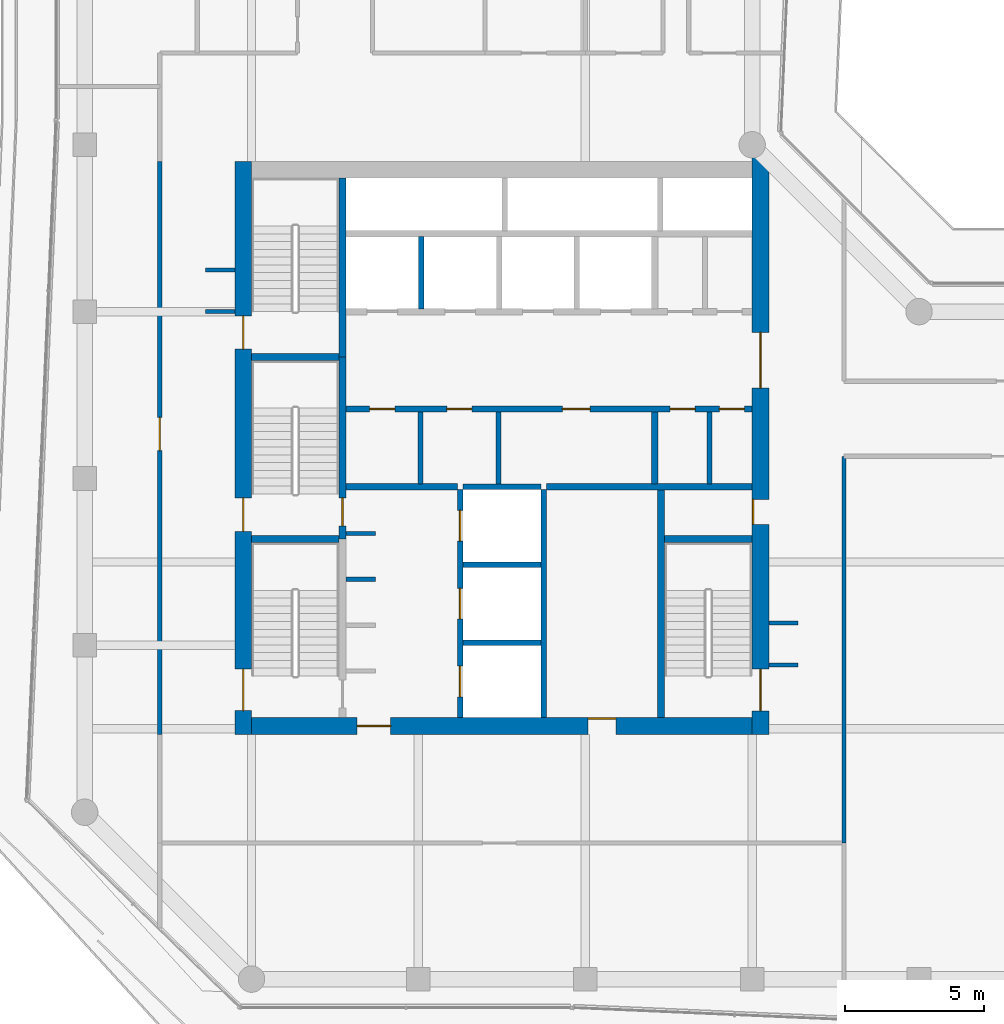
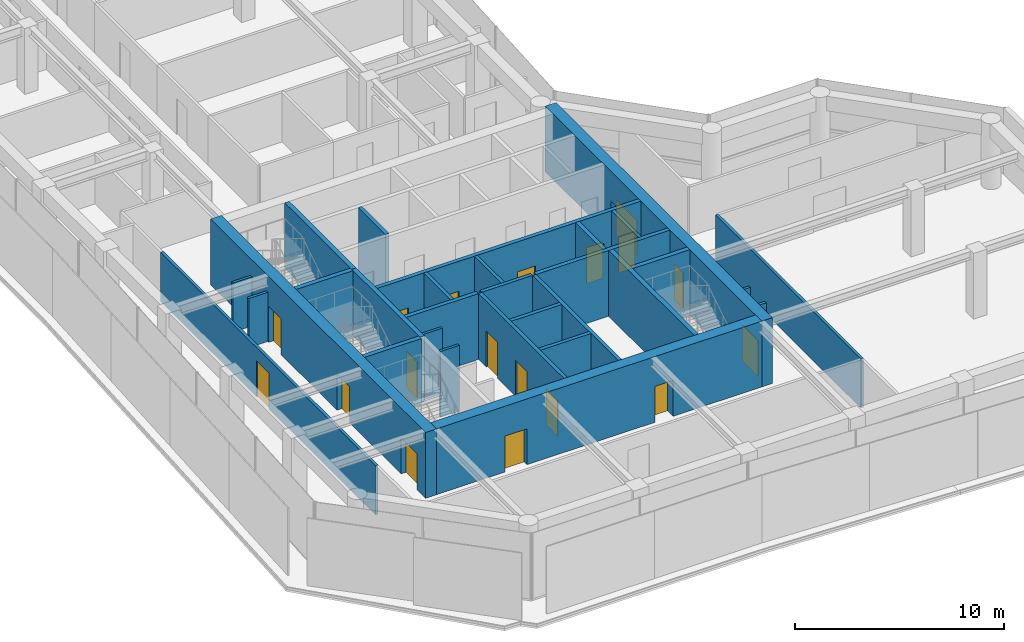
# One storey, part 17 of 21: 30 walls, 18 doors, 18 openings.
"""IFC4 building model written with IfcOpenShell, lengths in metres."""

from ifc_helpers import new_model, si_unit, direction, frame, frame_2d, origin, place, context, subcontext, project, spatial, rectangle, extrude, material, layer, layer_set, type_object, element, fill, save


model = new_model("IFC4")

# Units and contexts
model_context = context("Model", 3, precision=1e-05, world=origin(), true_north=direction((0.0, 1.0)))
body_context = subcontext(model_context, "Body", "Model", "MODEL_VIEW")
ifc_project = project(units=[si_unit("LENGTHUNIT", "METRE"), si_unit("AREAUNIT", "SQUARE_METRE"), si_unit("VOLUMEUNIT", "CUBIC_METRE"), si_unit("PLANEANGLEUNIT", "RADIAN"), si_unit("MASSUNIT", "GRAM", prefix="KILO")], contexts=[model_context])

# Site, building, storey
site_placement = place(None, origin())
site = spatial("IfcSite", under=ifc_project, at=site_placement, CompositionType="ELEMENT")
building_placement = place(site_placement, origin())
building = spatial("IfcBuilding", under=site, at=building_placement, Name="Welwitschia Terrace Campus", CompositionType="ELEMENT")
storey_placement = place(building_placement, frame((0.0, 0.0, 159.199951171875)))
storey = spatial("IfcBuildingStorey", under=building, at=storey_placement, Name="L35", CompositionType="ELEMENT", Elevation=159.199951171875)

# Walls
ifc_material_1 = material(Name="Concrete C32/40", Category="concrete")
ifc_layer_1 = layer(ifc_material_1, 0.175048828125)
ifc_layer_set_1 = layer_set([ifc_layer_1], Name="Concrete C32/40")
wall_type_1 = type_object("IfcWallType", Name="Core partition 175 Concrete C32/40", PredefinedType="PARTITIONING", material=ifc_layer_set_1)
for number, where, z_axis, x_axis, name in (
    (1, (12.074951171875, 13.800048828125, 0.0), (0.0, 0.0, 1.0), (0.0, 1.0, 0.0), "Core partition"),
    (2, (14.875, 13.800048828125, 0.0), (0.0, 0.0, 1.0), (0.0, 1.0, 0.0), "Core partition"),
    (3, (22.469970703125, 13.800048828125, 0.0), (0.0, 0.0, 1.0), (0.0, 1.0, 0.0), "Core partition"),
):
    element("IfcWall", number, at=place(storey_placement, frame(where, z_axis=z_axis, x_axis=x_axis)), inside=storey, type_object=wall_type_1, Name=name, PredefinedType="PARTITIONING", context=body_context, shape_type="SweptSolid", body=[
        extrude(rectangle(XDim=2.599853515625, YDim=0.175048828125, at=frame_2d((1.2998046875, 0.0))), origin(), (0.0, 0.0, 1.0), 3.85009765625),
    ])
ifc_material_2 = material(Name="Concrete C32/40", Category="concrete")
ifc_layer_2 = layer(ifc_material_2, 0.22509765625)
ifc_layer_set_2 = layer_set([ifc_layer_2], Name="Concrete C32/40")
wall_type_2 = type_object("IfcWallType", Name="Core partition 225 Concrete C32/40", PredefinedType="PARTITIONING", material=ifc_layer_set_2)
wall_1_placement = place(storey_placement, frame((9.39990234375, 13.699951171875, 0.0), z_axis=(0.0, 0.0, 1.0), x_axis=(1.0, 0.0, 0.0)))
element("IfcWall", 4, at=wall_1_placement, inside=storey, type_object=wall_type_2, Name="Core partition", PredefinedType="PARTITIONING", context=body_context, shape_type="SweptSolid", body=[
    extrude(rectangle(XDim=4.0, YDim=0.22509765625, at=frame_2d((2.0, 0.0))), origin(), (0.0, 0.0, 1.0), 3.85009765625),
])
wall_2_placement = place(storey_placement, frame((16.60009765625, 13.699951171875, 0.0), z_axis=(0.0, 0.0, 1.0), x_axis=(1.0, 0.0, 0.0)))
element("IfcWall", 5, at=wall_2_placement, inside=storey, type_object=wall_type_2, Name="Core partition", PredefinedType="PARTITIONING", context=body_context, shape_type="SweptSolid", body=[
    extrude(rectangle(XDim=7.39990234375, YDim=0.22509765625, at=frame_2d((3.699951171875, 0.0))), origin(), (0.0, 0.0, 1.0), 3.85009765625),
])

# Wall, openings, doors
wall_3_placement = place(storey_placement, frame((9.39990234375, 16.5, 0.0), z_axis=(0.0, 0.0, 1.0), x_axis=(1.0, 0.0, 0.0)))
wall_3 = element("IfcWall", 6, at=wall_3_placement, inside=storey, type_object=wall_type_2, Name="Core partition", PredefinedType="PARTITIONING", context=body_context, shape_type="SweptSolid", body=[
    extrude(rectangle(XDim=14.60009765625, YDim=0.22509765625, at=frame_2d((7.300048828125, 0.0))), origin(), (0.0, 0.0, 1.0), 3.85009765625),
])
opening_1_placement = place(wall_3_placement, frame((0.85009765625, 0.0, 0.0)))
opening_1 = element("IfcOpeningElement", 7, at=opening_1_placement, cuts=wall_3, Name="Opening DR09", PredefinedType="OPENING", context=body_context, shape_type="SweptSolid", body=[
    extrude(rectangle(XDim=0.89990234375, YDim=2.10009765625, at=frame_2d((0.449951171875, 1.050048828125))), frame((0.0, 0.12255859375, 0.0), z_axis=(0.0, -1.0, 0.0), x_axis=(1.0, 0.0, 0.0)), (0.0, 0.0, 1.0), 0.2451171875),
])
opening_2_placement = place(wall_3_placement, frame((3.625, 0.0, 0.0)))
opening_2 = element("IfcOpeningElement", 8, at=opening_2_placement, cuts=wall_3, Name="Opening DR09", PredefinedType="OPENING", context=body_context, shape_type="SweptSolid", body=[
    extrude(rectangle(XDim=0.89990234375, YDim=2.10009765625, at=frame_2d((0.449951171875, 1.050048828125))), frame((0.0, 0.12255859375, 0.0), z_axis=(0.0, -1.0, 0.0), x_axis=(1.0, 0.0, 0.0)), (0.0, 0.0, 1.0), 0.2451171875),
])
opening_3_placement = place(wall_3_placement, frame((7.77490234375, 0.0, 0.0)))
opening_3 = element("IfcOpeningElement", 9, at=opening_3_placement, cuts=wall_3, Name="Opening DR10", PredefinedType="OPENING", context=body_context, shape_type="SweptSolid", body=[
    extrude(rectangle(XDim=1.0, YDim=2.10009765625, at=frame_2d((0.5, 1.050048828125))), frame((0.0, 0.12255859375, 0.0), z_axis=(0.0, -1.0, 0.0), x_axis=(1.0, 0.0, 0.0)), (0.0, 0.0, 1.0), 0.2451171875),
])
opening_4_placement = place(wall_3_placement, frame((11.6474609375, 0.0, 0.0)))
opening_4 = element("IfcOpeningElement", 10, at=opening_4_placement, cuts=wall_3, Name="Opening DR09", PredefinedType="OPENING", context=body_context, shape_type="SweptSolid", body=[
    extrude(rectangle(XDim=0.89990234375, YDim=2.10009765625, at=frame_2d((0.449951171875, 1.050048828125))), frame((0.0, 0.12255859375, 0.0), z_axis=(0.0, -1.0, 0.0), x_axis=(1.0, 0.0, 0.0)), (0.0, 0.0, 1.0), 0.2451171875),
])
opening_5_placement = place(wall_3_placement, frame((13.422607421875, 0.0, 0.0)))
opening_5 = element("IfcOpeningElement", 11, at=opening_5_placement, cuts=wall_3, Name="Opening DR09", PredefinedType="OPENING", context=body_context, shape_type="SweptSolid", body=[
    extrude(rectangle(XDim=0.89990234375, YDim=2.10009765625, at=frame_2d((0.449951171875, 1.050048828125))), frame((0.0, 0.12255859375, 0.0), z_axis=(0.0, -1.0, 0.0), x_axis=(1.0, 0.0, 0.0)), (0.0, 0.0, 1.0), 0.2451171875),
])
ifc_material_3 = material(Name="Steel S275", Category="steel")
door_type_1 = type_object("IfcDoorType", Name="Core door DR09", OperationType="SINGLE_SWING_LEFT", PredefinedType="DOOR", material=ifc_material_3)
door_1_placement = place(opening_1_placement, origin())
door_1 = element("IfcDoor", 12, at=door_1_placement, inside=storey, type_object=door_type_1, Name="Door BAYL1-D", OperationType="SINGLE_SWING_LEFT", OverallHeight=2.10009765625, OverallWidth=0.89990234375, PredefinedType="DOOR", context=body_context, shape_type="SweptSolid", body=[
    extrude(rectangle(XDim=0.89990234375, YDim=2.10009765625, at=frame_2d((0.449951171875, 1.050048828125))), frame((0.0, 0.02490234375, 0.0), z_axis=(0.0, -1.0, 0.0), x_axis=(1.0, 0.0, 0.0)), (0.0, 0.0, 1.0), 0.050048828125),
])
fill(opening_1, door_1)
door_2_placement = place(opening_2_placement, origin())
door_2 = element("IfcDoor", 13, at=door_2_placement, inside=storey, type_object=door_type_1, Name="Door BAYL2-D", OperationType="SINGLE_SWING_LEFT", OverallHeight=2.10009765625, OverallWidth=0.89990234375, PredefinedType="DOOR", context=body_context, shape_type="SweptSolid", body=[
    extrude(rectangle(XDim=0.89990234375, YDim=2.10009765625, at=frame_2d((0.449951171875, 1.050048828125))), frame((0.0, 0.02490234375, 0.0), z_axis=(0.0, -1.0, 0.0), x_axis=(1.0, 0.0, 0.0)), (0.0, 0.0, 1.0), 0.050048828125),
])
fill(opening_2, door_2)
door_3_placement = place(opening_4_placement, origin())
door_3 = element("IfcDoor", 14, at=door_3_placement, inside=storey, type_object=door_type_1, Name="Door EL1-D", OperationType="SINGLE_SWING_RIGHT", OverallHeight=2.10009765625, OverallWidth=0.89990234375, PredefinedType="DOOR", context=body_context, shape_type="SweptSolid", body=[
    extrude(rectangle(XDim=0.89990234375, YDim=2.10009765625, at=frame_2d((0.449951171875, 1.050048828125))), frame((0.0, 0.02490234375, 0.0), z_axis=(0.0, -1.0, 0.0), x_axis=(1.0, 0.0, 0.0)), (0.0, 0.0, 1.0), 0.050048828125),
])
fill(opening_4, door_3)
door_4_placement = place(opening_5_placement, origin())
door_4 = element("IfcDoor", 15, at=door_4_placement, inside=storey, type_object=door_type_1, Name="Door EL2-D", OperationType="SINGLE_SWING_RIGHT", OverallHeight=2.10009765625, OverallWidth=0.89990234375, PredefinedType="DOOR", context=body_context, shape_type="SweptSolid", body=[
    extrude(rectangle(XDim=0.89990234375, YDim=2.10009765625, at=frame_2d((0.449951171875, 1.050048828125))), frame((0.0, 0.02490234375, 0.0), z_axis=(0.0, -1.0, 0.0), x_axis=(1.0, 0.0, 0.0)), (0.0, 0.0, 1.0), 0.050048828125),
])
fill(opening_5, door_4)
ifc_material_4 = material(Name="Steel S275", Category="steel")
door_type_2 = type_object("IfcDoorType", Name="Core door DR10", OperationType="SINGLE_SWING_LEFT", PredefinedType="DOOR", material=ifc_material_4)
door_5_placement = place(opening_3_placement, origin())
door_5 = element("IfcDoor", 16, at=door_5_placement, inside=storey, type_object=door_type_2, Name="Door BAYL3-D", OperationType="SINGLE_SWING_RIGHT", OverallHeight=2.10009765625, OverallWidth=1.0, PredefinedType="DOOR", context=body_context, shape_type="SweptSolid", body=[
    extrude(rectangle(XDim=1.0, YDim=2.10009765625, at=frame_2d((0.5, 1.050048828125))), frame((0.0, 0.02490234375, 0.0), z_axis=(0.0, -1.0, 0.0), x_axis=(1.0, 0.0, 0.0)), (0.0, 0.0, 1.0), 0.050048828125),
])
fill(opening_3, door_5)

# Walls
wall_4_placement = place(storey_placement, frame((20.5, 13.800048828125, 0.0), z_axis=(0.0, 0.0, 1.0), x_axis=(0.0, 1.0, 0.0)))
element("IfcWall", 17, at=wall_4_placement, inside=storey, type_object=wall_type_2, Name="Core partition", PredefinedType="PARTITIONING", context=body_context, shape_type="SweptSolid", body=[
    extrude(rectangle(XDim=2.599853515625, YDim=0.22509765625, at=frame_2d((1.2998046875, 0.0))), origin(), (0.0, 0.0, 1.0), 3.85009765625),
])
ifc_material_5 = material(Name="Concrete C50/60", Category="concrete")
ifc_layer_3 = layer(ifc_material_5, 0.14990234375)
ifc_layer_set_3 = layer_set([ifc_layer_3], Name="Concrete C50/60")
wall_type_3 = type_object("IfcWallType", Name="Core wall 150 Concrete C50/60", PredefinedType="SHEAR", material=ifc_layer_set_3)
for number, where, z_axis, x_axis, name in (
    (18, (9.39990234375, 10.375, 0.0), (0.0, 0.0, 1.0), (1.0, 0.0, 0.0), "Core wall"),
    (19, (9.39990234375, 12.02490234375, 0.0), (0.0, 0.0, 1.0), (1.0, 0.0, 0.0), "Core wall"),
):
    element("IfcWall", number, at=place(storey_placement, frame(where, z_axis=z_axis, x_axis=x_axis)), inside=storey, type_object=wall_type_3, Name=name, PredefinedType="SHEAR", context=body_context, shape_type="SweptSolid", body=[
        extrude(rectangle(XDim=1.050048828125, YDim=0.14990234375, at=frame_2d((0.52490234375, 0.0))), origin(), (0.0, 0.0, 1.0), 3.85009765625),
    ])
ifc_material_6 = material(Name="Concrete C50/60", Category="concrete")
ifc_layer_4 = layer(ifc_material_6, 0.199951171875)
ifc_layer_set_4 = layer_set([ifc_layer_4], Name="Concrete C50/60")
wall_type_4 = type_object("IfcWallType", Name="Core wall 200 Concrete C50/60", PredefinedType="SHEAR", material=ifc_layer_set_4)
for number, where, z_axis, x_axis, name in (
    (20, (13.60009765625, 8.10009765625, 0.0), (0.0, 0.0, 1.0), (1.0, 0.0, 0.0), "Core wall"),
    (21, (13.60009765625, 10.89990234375, 0.0), (0.0, 0.0, 1.0), (1.0, 0.0, 0.0), "Core wall"),
    (22, (13.60009765625, 13.699951171875, 0.0), (0.0, 0.0, 1.0), (1.0, 0.0, 0.0), "Core wall"),
):
    element("IfcWall", number, at=place(storey_placement, frame(where, z_axis=z_axis, x_axis=x_axis)), inside=storey, type_object=wall_type_4, Name=name, PredefinedType="SHEAR", context=body_context, shape_type="SweptSolid", body=[
        extrude(rectangle(XDim=2.7998046875, YDim=0.199951171875, at=frame_2d((1.39990234375, 0.0))), origin(), (0.0, 0.0, 1.0), 3.85009765625),
    ])

# Wall, openings, doors
wall_5_placement = place(storey_placement, frame((13.5, 5.39990234375, 0.0), z_axis=(0.0, 0.0, 1.0), x_axis=(0.0, 1.0, 0.0)))
wall_5 = element("IfcWall", 23, at=wall_5_placement, inside=storey, type_object=wall_type_4, Name="Core wall", PredefinedType="SHEAR", context=body_context, shape_type="SweptSolid", body=[
    extrude(rectangle(XDim=8.2001953125, YDim=0.199951171875, at=frame_2d((4.10009765625, 0.0))), origin(), (0.0, 0.0, 1.0), 3.85009765625),
])
opening_6_placement = place(wall_5_placement, frame((0.75, 0.0, 0.0)))
opening_6 = element("IfcOpeningElement", 24, at=opening_6_placement, cuts=wall_5, Name="Opening LD", PredefinedType="OPENING", context=body_context, shape_type="SweptSolid", body=[
    extrude(rectangle(XDim=1.10009765625, YDim=2.10009765625, at=frame_2d((0.550048828125, 1.050048828125))), frame((0.0, 0.10986328125, 0.0), z_axis=(0.0, -1.0, 0.0), x_axis=(1.0, 0.0, 0.0)), (0.0, 0.0, 1.0), 0.219970703125),
])
opening_7_placement = place(wall_5_placement, frame((3.550048828125, 0.0, 0.0)))
opening_7 = element("IfcOpeningElement", 25, at=opening_7_placement, cuts=wall_5, Name="Opening LD", PredefinedType="OPENING", context=body_context, shape_type="SweptSolid", body=[
    extrude(rectangle(XDim=1.10009765625, YDim=2.10009765625, at=frame_2d((0.550048828125, 1.050048828125))), frame((0.0, 0.10986328125, 0.0), z_axis=(0.0, -1.0, 0.0), x_axis=(1.0, 0.0, 0.0)), (0.0, 0.0, 1.0), 0.219970703125),
])
opening_8_placement = place(wall_5_placement, frame((6.35009765625, 0.0, 0.0)))
opening_8 = element("IfcOpeningElement", 26, at=opening_8_placement, cuts=wall_5, Name="Opening LD", PredefinedType="OPENING", context=body_context, shape_type="SweptSolid", body=[
    extrude(rectangle(XDim=1.10009765625, YDim=2.10009765625, at=frame_2d((0.550048828125, 1.050048828125))), frame((0.0, 0.10986328125, 0.0), z_axis=(0.0, -1.0, 0.0), x_axis=(1.0, 0.0, 0.0)), (0.0, 0.0, 1.0), 0.219970703125),
])
ifc_material_7 = material(Name="Stainless steel 304", Category="steel")
door_type_3 = type_object("IfcDoorType", Name="Lift landing door", OperationType="DOUBLE_DOOR_SLIDING", PredefinedType="DOOR", material=ifc_material_7)
door_6_placement = place(opening_6_placement, origin())
door_6 = element("IfcDoor", 27, at=door_6_placement, inside=storey, type_object=door_type_3, Name="Landing door FF1", OperationType="DOUBLE_DOOR_SLIDING", OverallHeight=2.10009765625, OverallWidth=1.10009765625, PredefinedType="DOOR", context=body_context, shape_type="SweptSolid", body=[
    extrude(rectangle(XDim=1.10009765625, YDim=2.10009765625, at=frame_2d((0.550048828125, 1.050048828125))), frame((0.0, 0.02490234375, 0.0), z_axis=(0.0, -1.0, 0.0), x_axis=(1.0, 0.0, 0.0)), (0.0, 0.0, 1.0), 0.050048828125),
])
fill(opening_6, door_6)
door_7_placement = place(opening_7_placement, origin())
door_7 = element("IfcDoor", 28, at=door_7_placement, inside=storey, type_object=door_type_3, Name="Landing door FF2", OperationType="DOUBLE_DOOR_SLIDING", OverallHeight=2.10009765625, OverallWidth=1.10009765625, PredefinedType="DOOR", context=body_context, shape_type="SweptSolid", body=[
    extrude(rectangle(XDim=1.10009765625, YDim=2.10009765625, at=frame_2d((0.550048828125, 1.050048828125))), frame((0.0, 0.02490234375, 0.0), z_axis=(0.0, -1.0, 0.0), x_axis=(1.0, 0.0, 0.0)), (0.0, 0.0, 1.0), 0.050048828125),
])
fill(opening_7, door_7)
door_8_placement = place(opening_8_placement, origin())
door_8 = element("IfcDoor", 29, at=door_8_placement, inside=storey, type_object=door_type_3, Name="Landing door SV1", OperationType="DOUBLE_DOOR_SLIDING", OverallHeight=2.10009765625, OverallWidth=1.10009765625, PredefinedType="DOOR", context=body_context, shape_type="SweptSolid", body=[
    extrude(rectangle(XDim=1.10009765625, YDim=2.10009765625, at=frame_2d((0.550048828125, 1.050048828125))), frame((0.0, 0.02490234375, 0.0), z_axis=(0.0, -1.0, 0.0), x_axis=(1.0, 0.0, 0.0)), (0.0, 0.0, 1.0), 0.050048828125),
])
fill(opening_8, door_8)

# Walls
wall_6_placement = place(storey_placement, frame((16.5, 5.39990234375, 0.0), z_axis=(0.0, 0.0, 1.0), x_axis=(0.0, 1.0, 0.0)))
element("IfcWall", 30, at=wall_6_placement, inside=storey, type_object=wall_type_4, Name="Core wall", PredefinedType="SHEAR", context=body_context, shape_type="SweptSolid", body=[
    extrude(rectangle(XDim=8.2001953125, YDim=0.199951171875, at=frame_2d((4.10009765625, 0.0))), origin(), (0.0, 0.0, 1.0), 3.85009765625),
])
ifc_material_8 = material(Name="Concrete C50/60", Category="concrete")
ifc_layer_5 = layer(ifc_material_8, 0.25)
ifc_layer_set_5 = layer_set([ifc_layer_5], Name="Concrete C50/60")
wall_type_5 = type_object("IfcWallType", Name="Core wall 250 Concrete C50/60", PredefinedType="SHEAR", material=ifc_layer_set_5)
for number, where, z_axis, x_axis, name in (
    (31, (6.0, 11.824951171875, 0.0), (0.0, 0.0, 1.0), (1.0, 0.0, 0.0), "Core wall"),
    (32, (20.85009765625, 11.824951171875, 0.0), (0.0, 0.0, 1.0), (1.0, 0.0, 0.0), "Core wall"),
    (33, (6.0, 18.375, 0.0), (0.0, 0.0, 1.0), (1.0, 0.0, 0.0), "Core wall"),
):
    element("IfcWall", number, at=place(storey_placement, frame(where, z_axis=z_axis, x_axis=x_axis)), inside=storey, type_object=wall_type_5, Name=name, PredefinedType="SHEAR", context=body_context, shape_type="SweptSolid", body=[
        extrude(rectangle(XDim=3.14990234375, YDim=0.25, at=frame_2d((1.574951171875, 0.0))), origin(), (0.0, 0.0, 1.0), 3.85009765625),
    ])

# Wall, opening, door
wall_7_placement = place(storey_placement, frame((9.27490234375, 18.375, 0.0), z_axis=(0.0, 0.0, 1.0), x_axis=(0.0, -1.0, 0.0)))
wall_7 = element("IfcWall", 34, at=wall_7_placement, inside=storey, type_object=wall_type_5, Name="Core wall", PredefinedType="SHEAR", context=body_context, shape_type="SweptSolid", body=[
    extrude(rectangle(XDim=6.550048828125, YDim=0.25, at=frame_2d((3.27490234375, 0.0))), origin(), (0.0, 0.0, 1.0), 3.85009765625),
])
opening_9_placement = place(wall_7_placement, frame((5.074951171875, 0.0, 0.0)))
opening_9 = element("IfcOpeningElement", 35, at=opening_9_placement, cuts=wall_7, Name="Opening DS10", PredefinedType="OPENING", context=body_context, shape_type="SweptSolid", body=[
    extrude(rectangle(XDim=1.0, YDim=2.10009765625, at=frame_2d((0.5, 1.050048828125))), frame((0.0, 0.135009765625, 0.0), z_axis=(0.0, -1.0, 0.0), x_axis=(1.0, 0.0, 0.0)), (0.0, 0.0, 1.0), 0.27001953125),
])
ifc_material_9 = material(Name="Steel S275", Category="steel")
door_type_4 = type_object("IfcDoorType", Name="Core door DS10", OperationType="SINGLE_SWING_LEFT", PredefinedType="DOOR", material=ifc_material_9)
door_9_placement = place(opening_9_placement, origin())
door_9 = element("IfcDoor", 36, at=door_9_placement, inside=storey, type_object=door_type_4, Name="Door S3-FL", OperationType="SINGLE_SWING_RIGHT", OverallHeight=2.10009765625, OverallWidth=1.0, PredefinedType="DOOR", context=body_context, shape_type="SweptSolid", body=[
    extrude(rectangle(XDim=1.0, YDim=2.10009765625, at=frame_2d((0.5, 1.050048828125))), frame((0.0, 0.02490234375, 0.0), z_axis=(0.0, -1.0, 0.0), x_axis=(1.0, 0.0, 0.0)), (0.0, 0.0, 1.0), 0.050048828125),
])
fill(opening_9, door_9)

# Walls
wall_8_placement = place(storey_placement, frame((9.27490234375, 18.375, 0.0), z_axis=(0.0, 0.0, 1.0), x_axis=(0.0, 1.0, 0.0)))
element("IfcWall", 37, at=wall_8_placement, inside=storey, type_object=wall_type_5, Name="Core wall", PredefinedType="SHEAR", context=body_context, shape_type="SweptSolid", body=[
    extrude(rectangle(XDim=6.425048828125, YDim=0.25, at=frame_2d((3.21240234375, 0.0))), origin(), (0.0, 0.0, 1.0), 3.85009765625),
])
wall_9_placement = place(storey_placement, frame((20.72509765625, 5.39990234375, 0.0), z_axis=(0.0, 0.0, 1.0), x_axis=(0.0, 1.0, 0.0)))
element("IfcWall", 38, at=wall_9_placement, inside=storey, type_object=wall_type_5, Name="Core wall", PredefinedType="SHEAR", context=body_context, shape_type="SweptSolid", body=[
    extrude(rectangle(XDim=8.2001953125, YDim=0.25, at=frame_2d((4.10009765625, 0.0))), origin(), (0.0, 0.0, 1.0), 3.85009765625),
])

# Wall, openings, doors
ifc_material_10 = material(Name="Concrete C60/75", Category="concrete")
ifc_layer_6 = layer(ifc_material_10, 0.60009765625)
ifc_layer_set_6 = layer_set([ifc_layer_6], Name="Concrete C60/75")
wall_type_6 = type_object("IfcWallType", Name="Core wall 600 Concrete C60/75", PredefinedType="SHEAR", material=ifc_layer_set_6)
wall_10_placement = place(storey_placement, frame((5.699951171875, 4.800048828125, 0.0), z_axis=(0.0, 0.0, 1.0), x_axis=(0.0, 1.0, 0.0)))
wall_10 = element("IfcWall", 39, at=wall_10_placement, inside=storey, type_object=wall_type_6, Name="Core outer wall", PredefinedType="SHEAR", context=body_context, shape_type="SweptSolid", body=[
    extrude(rectangle(XDim=20.599853515625, YDim=0.60009765625, at=frame_2d((10.2998046875, 0.0))), origin(), (0.0, 0.0, 1.0), 3.85009765625),
])
opening_10_placement = place(wall_10_placement, frame((0.85009765625, 0.0, 0.0)))
opening_10 = element("IfcOpeningElement", 40, at=opening_10_placement, cuts=wall_10, Name="Opening DS15", PredefinedType="OPENING", context=body_context, shape_type="SweptSolid", body=[
    extrude(rectangle(XDim=1.5, YDim=2.10009765625, at=frame_2d((0.75, 1.050048828125))), frame((0.0, 0.31005859375, 0.0), z_axis=(0.0, -1.0, 0.0), x_axis=(1.0, 0.0, 0.0)), (0.0, 0.0, 1.0), 0.6201171875),
])
opening_11_placement = place(wall_10_placement, frame((7.300048828125, 0.0, 0.0)))
opening_11 = element("IfcOpeningElement", 41, at=opening_11_placement, cuts=wall_10, Name="Opening DS12", PredefinedType="OPENING", context=body_context, shape_type="SweptSolid", body=[
    extrude(rectangle(XDim=1.199951171875, YDim=2.10009765625, at=frame_2d((0.60009765625, 1.050048828125))), frame((0.0, 0.31005859375, 0.0), z_axis=(0.0, -1.0, 0.0), x_axis=(1.0, 0.0, 0.0)), (0.0, 0.0, 1.0), 0.6201171875),
])
opening_12_placement = place(wall_10_placement, frame((13.85009765625, 0.0, 0.0)))
opening_12 = element("IfcOpeningElement", 42, at=opening_12_placement, cuts=wall_10, Name="Opening DS12", PredefinedType="OPENING", context=body_context, shape_type="SweptSolid", body=[
    extrude(rectangle(XDim=1.199951171875, YDim=2.10009765625, at=frame_2d((0.60009765625, 1.050048828125))), frame((0.0, 0.31005859375, 0.0), z_axis=(0.0, -1.0, 0.0), x_axis=(1.0, 0.0, 0.0)), (0.0, 0.0, 1.0), 0.6201171875),
])
ifc_material_11 = material(Name="Steel S275", Category="steel")
door_type_5 = type_object("IfcDoorType", Name="Core door DS12", OperationType="SINGLE_SWING_LEFT", PredefinedType="DOOR", material=ifc_material_11)
door_10_placement = place(opening_11_placement, origin())
door_10 = element("IfcDoor", 43, at=door_10_placement, inside=storey, type_object=door_type_5, Name="Door S3-out", OperationType="SINGLE_SWING_LEFT", OverallHeight=2.10009765625, OverallWidth=1.199951171875, PredefinedType="DOOR", context=body_context, shape_type="SweptSolid", body=[
    extrude(rectangle(XDim=1.199951171875, YDim=2.10009765625, at=frame_2d((0.60009765625, 1.050048828125))), frame((0.0, 0.02490234375, 0.0), z_axis=(0.0, -1.0, 0.0), x_axis=(1.0, 0.0, 0.0)), (0.0, 0.0, 1.0), 0.050048828125),
])
fill(opening_11, door_10)
door_11_placement = place(opening_12_placement, origin())
door_11 = element("IfcDoor", 44, at=door_11_placement, inside=storey, type_object=door_type_5, Name="Door S4-out", OperationType="SINGLE_SWING_RIGHT", OverallHeight=2.10009765625, OverallWidth=1.199951171875, PredefinedType="DOOR", context=body_context, shape_type="SweptSolid", body=[
    extrude(rectangle(XDim=1.199951171875, YDim=2.10009765625, at=frame_2d((0.60009765625, 1.050048828125))), frame((0.0, 0.02490234375, 0.0), z_axis=(0.0, -1.0, 0.0), x_axis=(1.0, 0.0, 0.0)), (0.0, 0.0, 1.0), 0.050048828125),
])
fill(opening_12, door_11)
ifc_material_12 = material(Name="Steel S275", Category="steel")
door_type_6 = type_object("IfcDoorType", Name="Core door DS15", OperationType="DOUBLE_DOOR_SINGLE_SWING", PredefinedType="DOOR", material=ifc_material_12)
door_12_placement = place(opening_10_placement, origin())
door_12 = element("IfcDoor", 45, at=door_12_placement, inside=storey, type_object=door_type_6, Name="Door S1-out", OperationType="DOUBLE_DOOR_SINGLE_SWING", OverallHeight=2.10009765625, OverallWidth=1.5, PredefinedType="DOOR", context=body_context, shape_type="SweptSolid", body=[
    extrude(rectangle(XDim=1.5, YDim=2.10009765625, at=frame_2d((0.75, 1.050048828125))), frame((0.0, 0.02490234375, 0.0), z_axis=(0.0, -1.0, 0.0), x_axis=(1.0, 0.0, 0.0)), (0.0, 0.0, 1.0), 0.050048828125),
])
fill(opening_10, door_12)

wall_11_placement = place(storey_placement, frame((24.300048828125, 25.554931640625, 0.0), z_axis=(0.0, 0.0, 1.0), x_axis=(0.0, -1.0, 0.0)))
wall_11 = element("IfcWall", 46, at=wall_11_placement, inside=storey, type_object=wall_type_6, Name="Core outer wall", PredefinedType="SHEAR", context=body_context, shape_type="SweptSolid", body=[
    extrude(rectangle(XDim=20.7548828125, YDim=0.60009765625, at=frame_2d((10.37744140625, 0.0))), origin(), (0.0, 0.0, 1.0), 3.85009765625),
])
opening_13_placement = place(wall_11_placement, frame((18.405029296875, 0.0, 0.0)))
opening_13 = element("IfcOpeningElement", 47, at=opening_13_placement, cuts=wall_11, Name="Opening DS15", PredefinedType="OPENING", context=body_context, shape_type="SweptSolid", body=[
    extrude(rectangle(XDim=1.5, YDim=2.10009765625, at=frame_2d((0.75, 1.050048828125))), frame((0.0, 0.31005859375, 0.0), z_axis=(0.0, -1.0, 0.0), x_axis=(1.0, 0.0, 0.0)), (0.0, 0.0, 1.0), 0.6201171875),
])
opening_14_placement = place(wall_11_placement, frame((12.304931640625, 0.0, 0.0)))
opening_14 = element("IfcOpeningElement", 48, at=opening_14_placement, cuts=wall_11, Name="Opening DR09", PredefinedType="OPENING", context=body_context, shape_type="SweptSolid", body=[
    extrude(rectangle(XDim=0.89990234375, YDim=2.10009765625, at=frame_2d((0.449951171875, 1.050048828125))), frame((0.0, 0.31005859375, 0.0), z_axis=(0.0, -1.0, 0.0), x_axis=(1.0, 0.0, 0.0)), (0.0, 0.0, 1.0), 0.6201171875),
])
opening_15_placement = place(wall_11_placement, frame((6.304931640625, 0.0, 0.0)))
opening_15 = element("IfcOpeningElement", 49, at=opening_15_placement, cuts=wall_11, Name="Opening DL20", PredefinedType="OPENING", context=body_context, shape_type="SweptSolid", body=[
    extrude(rectangle(XDim=2.0, YDim=2.10009765625, at=frame_2d((1.0, 1.050048828125))), frame((0.0, 0.31005859375, 0.0), z_axis=(0.0, -1.0, 0.0), x_axis=(1.0, 0.0, 0.0)), (0.0, 0.0, 1.0), 0.6201171875),
])
ifc_material_13 = material(Name="Steel S275", Category="steel")
door_type_7 = type_object("IfcDoorType", Name="Core door DL20", OperationType="DOUBLE_DOOR_SINGLE_SWING", PredefinedType="DOOR", material=ifc_material_13)
door_13_placement = place(opening_15_placement, origin())
door_13 = element("IfcDoor", 50, at=door_13_placement, inside=storey, type_object=door_type_7, Name="Door LOBBY-out", OperationType="DOUBLE_DOOR_SINGLE_SWING", OverallHeight=2.10009765625, OverallWidth=2.0, PredefinedType="DOOR", context=body_context, shape_type="SweptSolid", body=[
    extrude(rectangle(XDim=2.0, YDim=2.10009765625, at=frame_2d((1.0, 1.050048828125))), frame((0.0, 0.02490234375, 0.0), z_axis=(0.0, -1.0, 0.0), x_axis=(1.0, 0.0, 0.0)), (0.0, 0.0, 1.0), 0.050048828125),
])
fill(opening_15, door_13)
door_14_placement = place(opening_14_placement, origin())
door_14 = element("IfcDoor", 51, at=door_14_placement, inside=storey, type_object=door_type_1, Name="Door F1B-out", OperationType="SINGLE_SWING_RIGHT", OverallHeight=2.10009765625, OverallWidth=0.89990234375, PredefinedType="DOOR", context=body_context, shape_type="SweptSolid", body=[
    extrude(rectangle(XDim=0.89990234375, YDim=2.10009765625, at=frame_2d((0.449951171875, 1.050048828125))), frame((0.0, -0.23974609375, 0.0), z_axis=(0.0, -1.0, 0.0), x_axis=(1.0, 0.0, 0.0)), (0.0, 0.0, 1.0), 0.050048828125),
])
fill(opening_14, door_14)
door_15_placement = place(opening_13_placement, origin())
door_15 = element("IfcDoor", 52, at=door_15_placement, inside=storey, type_object=door_type_6, Name="Door S2-out", OperationType="DOUBLE_DOOR_SINGLE_SWING", OverallHeight=2.10009765625, OverallWidth=1.5, PredefinedType="DOOR", context=body_context, shape_type="SweptSolid", body=[
    extrude(rectangle(XDim=1.5, YDim=2.10009765625, at=frame_2d((0.75, 1.050048828125))), frame((0.0, 0.02490234375, 0.0), z_axis=(0.0, -1.0, 0.0), x_axis=(1.0, 0.0, 0.0)), (0.0, 0.0, 1.0), 0.050048828125),
])
fill(opening_13, door_15)

wall_12_placement = place(storey_placement, frame((24.0, 5.10009765625, 0.0), z_axis=(0.0, 0.0, 1.0), x_axis=(-1.0, 0.0, 0.0)))
wall_12 = element("IfcWall", 53, at=wall_12_placement, inside=storey, type_object=wall_type_6, Name="Core outer wall", PredefinedType="SHEAR", context=body_context, shape_type="SweptSolid", body=[
    extrude(rectangle(XDim=18.0, YDim=0.60009765625, at=frame_2d((9.0, 0.0))), origin(), (0.0, 0.0, 1.0), 3.85009765625),
])
opening_16_placement = place(wall_12_placement, frame((13.0, 0.0, 0.0)))
opening_16 = element("IfcOpeningElement", 54, at=opening_16_placement, cuts=wall_12, Name="Opening DF12", PredefinedType="OPENING", context=body_context, shape_type="SweptSolid", body=[
    extrude(rectangle(XDim=1.199951171875, YDim=2.10009765625, at=frame_2d((0.60009765625, 1.050048828125))), frame((0.0, 0.31005859375, 0.0), z_axis=(0.0, -1.0, 0.0), x_axis=(1.0, 0.0, 0.0)), (0.0, 0.0, 1.0), 0.6201171875),
])
opening_17_placement = place(wall_12_placement, frame((4.89990234375, 0.0, 0.0)))
opening_17 = element("IfcOpeningElement", 55, at=opening_17_placement, cuts=wall_12, Name="Opening DR10", PredefinedType="OPENING", context=body_context, shape_type="SweptSolid", body=[
    extrude(rectangle(XDim=1.0, YDim=2.10009765625, at=frame_2d((0.5, 1.050048828125))), frame((0.0, 0.31005859375, 0.0), z_axis=(0.0, -1.0, 0.0), x_axis=(1.0, 0.0, 0.0)), (0.0, 0.0, 1.0), 0.6201171875),
])
ifc_material_14 = material(Name="Steel S275", Category="steel")
door_type_8 = type_object("IfcDoorType", Name="Core door DF12", OperationType="SINGLE_SWING_LEFT", PredefinedType="DOOR", material=ifc_material_14)
door_16_placement = place(opening_16_placement, origin())
door_16 = element("IfcDoor", 56, at=door_16_placement, inside=storey, type_object=door_type_8, Name="Door FL-out", OperationType="SINGLE_SWING_RIGHT", OverallHeight=2.10009765625, OverallWidth=1.199951171875, PredefinedType="DOOR", context=body_context, shape_type="SweptSolid", body=[
    extrude(rectangle(XDim=1.199951171875, YDim=2.10009765625, at=frame_2d((0.60009765625, 1.050048828125))), frame((0.0, 0.02490234375, 0.0), z_axis=(0.0, -1.0, 0.0), x_axis=(1.0, 0.0, 0.0)), (0.0, 0.0, 1.0), 0.050048828125),
])
fill(opening_16, door_16)
door_17_placement = place(opening_17_placement, origin())
door_17 = element("IfcDoor", 57, at=door_17_placement, inside=storey, type_object=door_type_2, Name="Door F1-out", OperationType="SINGLE_SWING_LEFT", OverallHeight=2.10009765625, OverallWidth=1.0, PredefinedType="DOOR", context=body_context, shape_type="SweptSolid", body=[
    extrude(rectangle(XDim=1.0, YDim=2.10009765625, at=frame_2d((0.5, 1.050048828125))), frame((0.0, -0.23974609375, 0.0), z_axis=(0.0, -1.0, 0.0), x_axis=(1.0, 0.0, 0.0)), (0.0, 0.0, 1.0), 0.050048828125),
])
fill(opening_17, door_17)

# Wall, opening, door
ifc_material_15 = material(Name="Gypsum board on steel studs", Category="steel")
ifc_layer_7 = layer(ifc_material_15, 0.14990234375)
ifc_layer_set_7 = layer_set([ifc_layer_7], Name="Gypsum board on steel studs")
wall_type_7 = type_object("IfcWallType", Name="Corridor partition 150 EI 30", PredefinedType="PARTITIONING", material=ifc_layer_set_7)
wall_13_placement = place(storey_placement, frame((2.699951171875, 4.800048828125, 0.0), z_axis=(0.0, 0.0, 1.0), x_axis=(0.0, 1.0, 0.0)))
wall_13 = element("IfcWall", 58, at=wall_13_placement, inside=storey, type_object=wall_type_7, Name="Partition", PredefinedType="PARTITIONING", context=body_context, shape_type="SweptSolid", body=[
    extrude(rectangle(XDim=20.599853515625, YDim=0.14990234375, at=frame_2d((10.2998046875, 0.0))), origin(), (0.0, 0.0, 1.0), 2.880126953125),
])
opening_18_placement = place(wall_13_placement, frame((10.199951171875, 0.0, 0.0)))
opening_18 = element("IfcOpeningElement", 59, at=opening_18_placement, cuts=wall_13, Name="Opening DI12", PredefinedType="OPENING", context=body_context, shape_type="SweptSolid", body=[
    extrude(rectangle(XDim=1.199951171875, YDim=2.10009765625, at=frame_2d((0.60009765625, 1.050048828125))), frame((0.0, 0.0849609375, 0.0), z_axis=(0.0, -1.0, 0.0), x_axis=(1.0, 0.0, 0.0)), (0.0, 0.0, 1.0), 0.169921875),
])
ifc_material_16 = material(Name="Timber veneered door", Category="wood")
door_type_9 = type_object("IfcDoorType", Name="Interior door DI12", OperationType="NOTDEFINED", PredefinedType="DOOR", material=ifc_material_16)
door_18_placement = place(opening_18_placement, origin())
door_18 = element("IfcDoor", 60, at=door_18_placement, inside=storey, type_object=door_type_9, Name="Door L35 710", OperationType="SINGLE_SWING_LEFT", OverallHeight=2.10009765625, OverallWidth=1.199951171875, PredefinedType="DOOR", context=body_context, shape_type="SweptSolid", body=[
    extrude(rectangle(XDim=1.199951171875, YDim=2.10009765625, at=frame_2d((0.60009765625, 1.050048828125))), frame((0.0, 0.02490234375, 0.0), z_axis=(0.0, -1.0, 0.0), x_axis=(1.0, 0.0, 0.0)), (0.0, 0.0, 1.0), 0.050048828125),
])
fill(opening_18, door_18)

# Walls
for number, where, z_axis, x_axis, name in (
    (61, (4.35009765625, 20.0, 0.0), (0.0, 0.0, 1.0), (1.0, 0.0, 0.0), "Partition"),
    (62, (4.35009765625, 21.5, 0.0), (0.0, 0.0, 1.0), (1.0, 0.0, 0.0), "Partition"),
    (63, (24.60009765625, 7.300048828125, 0.0), (0.0, 0.0, 1.0), (1.0, 0.0, 0.0), "Partition"),
    (64, (24.60009765625, 8.800048828125, 0.0), (0.0, 0.0, 1.0), (1.0, 0.0, 0.0), "Partition"),
):
    element("IfcWall", number, at=place(storey_placement, frame(where, z_axis=z_axis, x_axis=x_axis)), inside=storey, type_object=wall_type_7, Name=name, PredefinedType="PARTITIONING", context=body_context, shape_type="SweptSolid", body=[
        extrude(rectangle(XDim=1.0498046875, YDim=0.14990234375, at=frame_2d((0.52490234375, 0.0))), origin(), (0.0, 0.0, 1.0), 2.880126953125),
    ])
wall_14_placement = place(storey_placement, frame((27.300048828125, 0.89990234375, 0.0), z_axis=(0.0, 0.0, 1.0), x_axis=(0.0, 1.0, 0.0)))
element("IfcWall", 65, at=wall_14_placement, inside=storey, type_object=wall_type_7, Name="Partition", PredefinedType="PARTITIONING", context=body_context, shape_type="SweptSolid", body=[
    extrude(rectangle(XDim=13.900146484375, YDim=0.14990234375, at=frame_2d((6.9501953125, 0.0))), origin(), (0.0, 0.0, 1.0), 2.880126953125),
])
ifc_material_17 = material(Name="Concrete C32/40", Category="concrete")
ifc_layer_8 = layer(ifc_material_17, 0.199951171875)
ifc_layer_set_8 = layer_set([ifc_layer_8], Name="Concrete C32/40")
wall_type_8 = type_object("IfcWallType", Name="Shaft wall 200 Concrete C32/40", PredefinedType="SOLIDWALL", material=ifc_layer_set_8)
wall_15_placement = place(storey_placement, frame((12.10009765625, 20.10009765625, 0.0), z_axis=(0.0, 0.0, 1.0), x_axis=(0.0, 1.0, 0.0)))
element("IfcWall", 66, at=wall_15_placement, inside=storey, type_object=wall_type_8, Name="Shaft wall", PredefinedType="SOLIDWALL", context=body_context, shape_type="SweptSolid", body=[
    extrude(rectangle(XDim=2.599853515625, YDim=0.199951171875, at=frame_2d((1.2998046875, 0.0))), origin(), (0.0, 0.0, 1.0), 3.85009765625),
])

save(model, "model.ifc")
